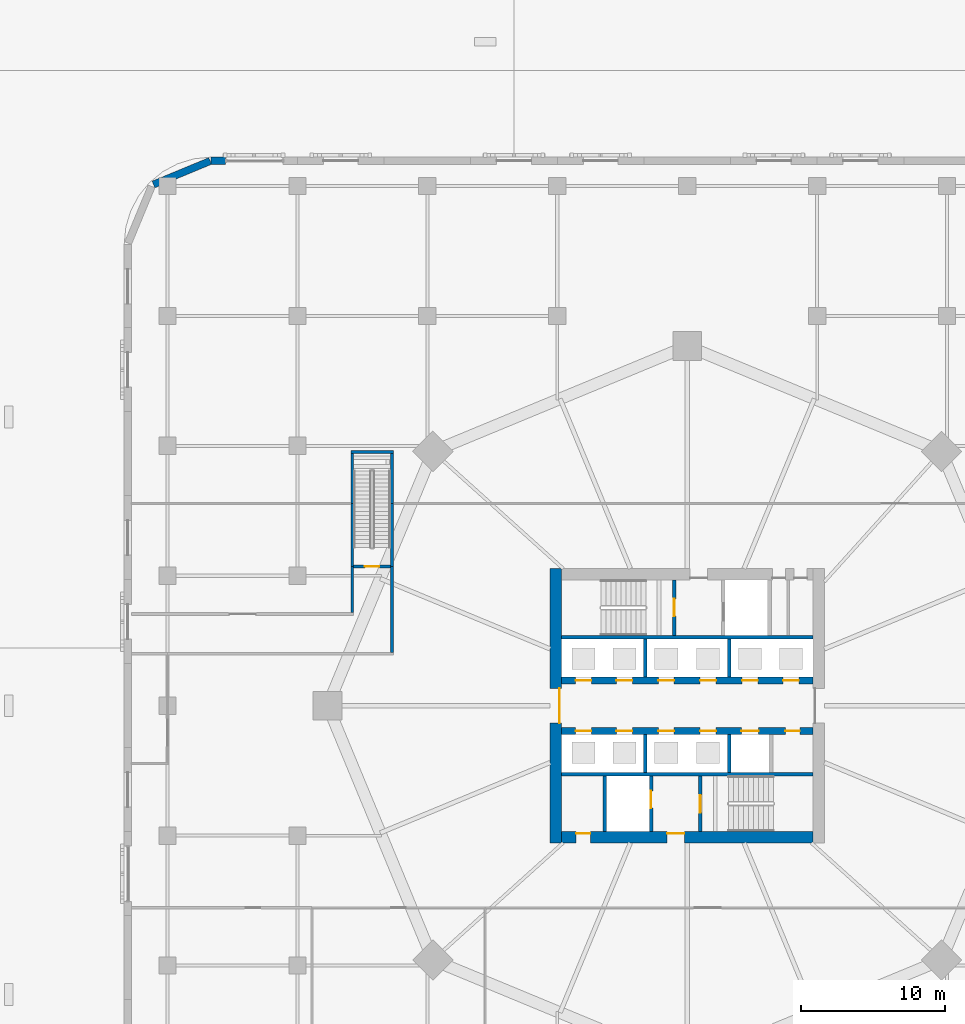
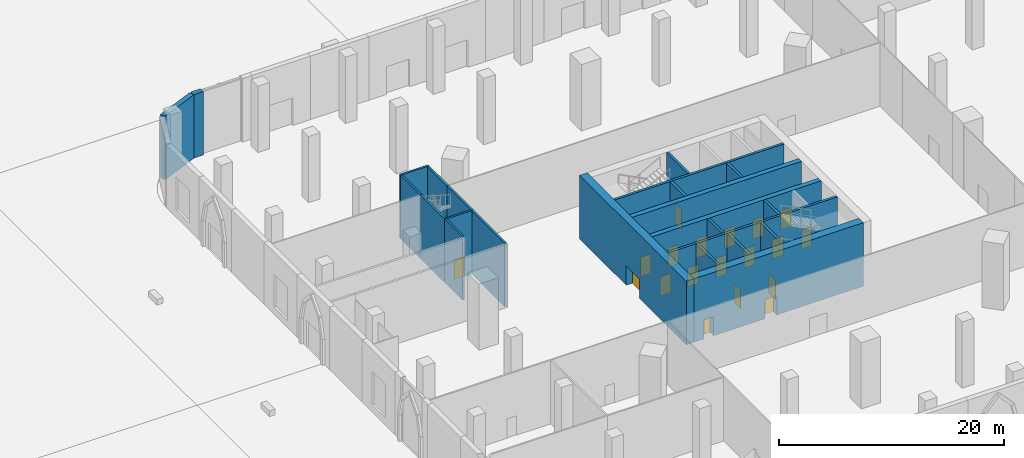
# One storey, part 24 of 48: 24 walls, 19 doors, 19 openings.
"""IFC4 building model written with IfcOpenShell, lengths in metres."""

from ifc_helpers import new_model, si_unit, direction, frame, frame_2d, origin, place, context, subcontext, project, spatial, rectangle, extrude, material, layer, layer_set, type_object, element, fill, save


model = new_model("IFC4")

# Units and contexts
model_context = context("Model", 3, precision=1e-05, world=origin(), true_north=direction((0.0, 1.0)))
body_context = subcontext(model_context, "Body", "Model", "MODEL_VIEW")
ifc_project = project(units=[si_unit("LENGTHUNIT", "METRE"), si_unit("AREAUNIT", "SQUARE_METRE"), si_unit("VOLUMEUNIT", "CUBIC_METRE"), si_unit("PLANEANGLEUNIT", "RADIAN"), si_unit("MASSUNIT", "GRAM", prefix="KILO")], contexts=[model_context])

# Site, building, storey
site_placement = place(None, origin())
site = spatial("IfcSite", under=ifc_project, at=site_placement, CompositionType="ELEMENT")
building_placement = place(site_placement, origin())
building = spatial("IfcBuilding", under=site, at=building_placement, Name="Ogive Gate Towers", CompositionType="ELEMENT")
storey_placement = place(building_placement, origin())
storey = spatial("IfcBuildingStorey", under=building, at=storey_placement, Name="L00", CompositionType="ELEMENT", Elevation=0.0)

# Walls
ifc_material_1 = material(Name="Precast concrete C40/50", Category="concrete")
ifc_layer_1 = layer(ifc_material_1, 0.5)
ifc_layer_set_1 = layer_set([ifc_layer_1], Name="Arcade wall 500")
wall_type_1 = type_object("IfcWallType", Name="Arcade wall 500", PredefinedType="SOLIDWALL", material=ifc_layer_set_1)
wall_1_placement = place(storey_placement, frame((-68.0, 37.75, 0.0), z_axis=(0.0, 0.0, 1.0), x_axis=(-1.0, 0.0, 0.0)))
element("IfcWall", 1, at=wall_1_placement, inside=storey, type_object=wall_type_1, Name="Podium wall", PredefinedType="SOLIDWALL", context=body_context, shape_type="SweptSolid", body=[
    extrude(rectangle(XDim=1.0, YDim=0.5, at=frame_2d((0.5, 0.0))), origin(), (0.0, 0.0, 1.0), 6.89990234375),
])
wall_2_placement = place(storey_placement, frame((-69.0458984375, 37.73095703125, 0.0), z_axis=(0.0, 0.0, 1.0), x_axis=(-0.923880930628, -0.382680056994, 0.0)))
element("IfcWall", 2, at=wall_2_placement, inside=storey, type_object=wall_type_1, Name="Podium wall", PredefinedType="SOLIDWALL", context=body_context, shape_type="SweptSolid", body=[
    extrude(rectangle(XDim=4.24755859375, YDim=0.5, at=frame_2d((2.123779296875, 0.0))), origin(), (0.0, 0.0, 1.0), 6.89990234375),
])

# Wall, openings, doors
ifc_material_2 = material(Name="Concrete C60/75", Category="concrete")
ifc_layer_2 = layer(ifc_material_2, 0.800048828125)
ifc_layer_set_2 = layer_set([ifc_layer_2], Name="Core wall 800 mm")
wall_type_2 = type_object("IfcWallType", Name="Core wall 800 mm", PredefinedType="SHEAR", material=ifc_layer_set_2)
wall_3_placement = place(storey_placement, frame((-44.699951171875, -9.10009765625, 0.0), z_axis=(0.0, 0.0, 1.0), x_axis=(1.0, 0.0, 0.0)))
wall_3 = element("IfcWall", 3, at=wall_3_placement, inside=storey, type_object=wall_type_2, Name="T1 L00 Core wall 800 mm", PredefinedType="SHEAR", context=body_context, shape_type="SweptSolid", body=[
    extrude(rectangle(XDim=17.39990234375, YDim=0.800048828125, at=frame_2d((8.699951171875, 0.0))), origin(), (0.0, 0.0, 1.0), 6.89990234375),
])
opening_1_placement = place(wall_3_placement, frame((7.300048828125, 0.0, 0.0)))
opening_1 = element("IfcOpeningElement", 4, at=opening_1_placement, cuts=wall_3, Name="Opening KD-T1-L00-20", PredefinedType="OPENING", context=body_context, shape_type="SweptSolid", body=[
    extrude(rectangle(XDim=1.199951171875, YDim=2.10009765625, at=frame_2d((0.60009765625, 1.050048828125))), frame((0.0, 0.41015625, 0.0), z_axis=(0.0, -1.0, 0.0), x_axis=(1.0, 0.0, 0.0)), (0.0, 0.0, 1.0), 0.820068359375),
])
opening_2_placement = place(wall_3_placement, frame((1.0, 0.0, 0.0)))
opening_2 = element("IfcOpeningElement", 5, at=opening_2_placement, cuts=wall_3, Name="Opening KD-T1-L00-23", PredefinedType="OPENING", context=body_context, shape_type="SweptSolid", body=[
    extrude(rectangle(XDim=1.0, YDim=2.10009765625, at=frame_2d((0.5, 1.050048828125))), frame((0.0, 0.41015625, 0.0), z_axis=(0.0, -1.0, 0.0), x_axis=(1.0, 0.0, 0.0)), (0.0, 0.0, 1.0), 0.820068359375),
])
ifc_material_3 = material(Name="Timber door", Category="wood")
door_type_1 = type_object("IfcDoorType", Name="Accessible WC door 1000 x 2100", OperationType="NOTDEFINED", PredefinedType="DOOR", material=ifc_material_3)
door_1_placement = place(opening_2_placement, origin())
door_1 = element("IfcDoor", 6, at=door_1_placement, inside=storey, type_object=door_type_1, Name="T1 L00 Core door", OperationType="SINGLE_SWING_RIGHT", OverallHeight=2.10009765625, OverallWidth=1.0, PredefinedType="DOOR", context=body_context, shape_type="SweptSolid", body=[
    extrude(rectangle(XDim=1.0, YDim=2.10009765625, at=frame_2d((0.5, 1.050048828125))), frame((0.0, 0.27490234375, 0.0), z_axis=(0.0, -1.0, 0.0), x_axis=(1.0, 0.0, 0.0)), (0.0, 0.0, 1.0), 0.050048828125),
])
fill(opening_2, door_1)
ifc_material_4 = material(Name="Steel fire door", Category="steel")
door_type_2 = type_object("IfcDoorType", Name="Core door FD60S 1200 x 2100", OperationType="NOTDEFINED", PredefinedType="DOOR", material=ifc_material_4)
door_2_placement = place(opening_1_placement, origin())
door_2 = element("IfcDoor", 7, at=door_2_placement, inside=storey, type_object=door_type_2, Name="T1 L00 Fire-fighting lobby door", OperationType="SINGLE_SWING_LEFT", OverallHeight=2.10009765625, OverallWidth=1.199951171875, PredefinedType="DOOR", context=body_context, shape_type="SweptSolid", body=[
    extrude(rectangle(XDim=1.199951171875, YDim=2.10009765625, at=frame_2d((0.60009765625, 1.050048828125))), frame((0.0, 0.27490234375, 0.0), z_axis=(0.0, -1.0, 0.0), x_axis=(1.0, 0.0, 0.0)), (0.0, 0.0, 1.0), 0.050048828125),
])
fill(opening_1, door_2)

# Wall, opening, door
wall_4_placement = place(storey_placement, frame((-45.10009765625, -9.5, 0.0), z_axis=(0.0, 0.0, 1.0), x_axis=(0.0, 1.0, 0.0)))
wall_4 = element("IfcWall", 8, at=wall_4_placement, inside=storey, type_object=wall_type_2, Name="T1 L00 Core wall 800 mm", PredefinedType="SHEAR", context=body_context, shape_type="SweptSolid", body=[
    extrude(rectangle(XDim=19.0, YDim=0.800048828125, at=frame_2d((9.5, 0.0))), origin(), (0.0, 0.0, 1.0), 6.89990234375),
])
opening_3_placement = place(wall_4_placement, frame((8.300048828125, 0.0, 0.0)))
opening_3 = element("IfcOpeningElement", 9, at=opening_3_placement, cuts=wall_4, Name="Opening KD-T1-L00-01", PredefinedType="OPENING", context=body_context, shape_type="SweptSolid", body=[
    extrude(rectangle(XDim=2.39990234375, YDim=2.10009765625, at=frame_2d((1.199951171875, 1.050048828125))), frame((0.0, 0.41015625, 0.0), z_axis=(0.0, -1.0, 0.0), x_axis=(1.0, 0.0, 0.0)), (0.0, 0.0, 1.0), 0.820068359375),
])
door_type_3 = type_object("IfcDoorType", Name="Core double door FD60S 2400 x 2100", OperationType="DOUBLE_DOOR_SINGLE_SWING", PredefinedType="DOOR", material=ifc_material_4)
door_3_placement = place(opening_3_placement, origin())
door_3 = element("IfcDoor", 10, at=door_3_placement, inside=storey, type_object=door_type_3, Name="T1 L00 Core door double", OperationType="DOUBLE_DOOR_SINGLE_SWING", OverallHeight=2.10009765625, OverallWidth=2.39990234375, PredefinedType="DOOR", context=body_context, shape_type="SweptSolid", body=[
    extrude(rectangle(XDim=2.39990234375, YDim=2.10009765625, at=frame_2d((1.199951171875, 1.050048828125))), frame((0.0, -0.22509765625, 0.0), z_axis=(0.0, -1.0, 0.0), x_axis=(1.0, 0.0, 0.0)), (0.0, 0.0, 1.0), 0.050048828125),
])
fill(opening_3, door_3)

# Walls
ifc_material_5 = material(Name="Masonry block wall", Category="masonry")
ifc_layer_3 = layer(ifc_material_5, 0.199951171875)
ifc_layer_set_3 = layer_set([ifc_layer_3], Name="Partition wall 200")
wall_type_3 = type_object("IfcWallType", Name="Partition wall 200", PredefinedType="PARTITIONING", material=ifc_layer_set_3)
wall_5_placement = place(storey_placement, frame((-56.449951171875, 3.699951171875, 0.0), z_axis=(0.0, 0.0, 1.0), x_axis=(0.0, 1.0, 0.0)))
element("IfcWall", 11, at=wall_5_placement, inside=storey, type_object=wall_type_3, Name="L00 partition 015", PredefinedType="PARTITIONING", context=body_context, shape_type="SweptSolid", body=[
    extrude(rectangle(XDim=5.949951171875, YDim=0.199951171875, at=frame_2d((2.97509765625, 0.0))), origin(), (0.0, 0.0, 1.0), 6.89990234375),
])
wall_6_placement = place(storey_placement, frame((-59.199951171875, 6.449951171875, 0.0), z_axis=(0.0, 0.0, 1.0), x_axis=(0.0, 1.0, 0.0)))
element("IfcWall", 12, at=wall_6_placement, inside=storey, type_object=wall_type_3, Name="L00 partition 017", PredefinedType="PARTITIONING", context=body_context, shape_type="SweptSolid", body=[
    extrude(rectangle(XDim=3.199951171875, YDim=0.199951171875, at=frame_2d((1.60009765625, 0.0))), origin(), (0.0, 0.0, 1.0), 6.89990234375),
])
ifc_layer_4 = layer(ifc_material_2, 0.25)
ifc_layer_set_4 = layer_set([ifc_layer_4], Name="Shaft wall 250 mm")
wall_type_4 = type_object("IfcWallType", Name="Shaft wall 250 mm", PredefinedType="SHEAR", material=ifc_layer_set_4)
for number, where, z_axis, x_axis, name in (
    (13, (-44.699951171875, -4.75, 0.0), (0.0, 0.0, 1.0), (1.0, 0.0, 0.0), "T1 L00 Shaft wall 250 mm"),
    (14, (-44.699951171875, 4.75, 0.0), (0.0, 0.0, 1.0), (1.0, 0.0, 0.0), "T1 L00 Shaft wall 250 mm"),
):
    element("IfcWall", number, at=place(storey_placement, frame(where, z_axis=z_axis, x_axis=x_axis)), inside=storey, type_object=wall_type_4, Name=name, PredefinedType="SHEAR", context=body_context, shape_type="SweptSolid", body=[
        extrude(rectangle(XDim=17.39990234375, YDim=0.25, at=frame_2d((8.699951171875, 0.0))), origin(), (0.0, 0.0, 1.0), 6.89990234375),
    ])
wall_7_placement = place(storey_placement, frame((-41.699951171875, -8.699951171875, 0.0), z_axis=(0.0, 0.0, 1.0), x_axis=(0.0, 1.0, 0.0)))
element("IfcWall", 15, at=wall_7_placement, inside=storey, type_object=wall_type_4, Name="T1 L00 Shaft wall 250 mm", PredefinedType="SHEAR", context=body_context, shape_type="SweptSolid", body=[
    extrude(rectangle(XDim=3.824951171875, YDim=0.25, at=frame_2d((1.91259765625, 0.0))), origin(), (0.0, 0.0, 1.0), 6.89990234375),
])
for number, where, z_axis, x_axis, name in (
    (16, (-38.89990234375, -4.625, 0.0), (0.0, 0.0, 1.0), (0.0, 1.0, 0.0), "T1 L00 Shaft wall 250 mm"),
    (17, (-38.89990234375, 2.0, 0.0), (0.0, 0.0, 1.0), (0.0, 1.0, 0.0), "T1 L00 Shaft wall 250 mm"),
):
    element("IfcWall", number, at=place(storey_placement, frame(where, z_axis=z_axis, x_axis=x_axis)), inside=storey, type_object=wall_type_4, Name=name, PredefinedType="SHEAR", context=body_context, shape_type="SweptSolid", body=[
        extrude(rectangle(XDim=2.625, YDim=0.25, at=frame_2d((1.3125, 0.0))), origin(), (0.0, 0.0, 1.0), 6.89990234375),
    ])

# Wall, opening, door
wall_8_placement = place(storey_placement, frame((-38.5, -8.699951171875, 0.0), z_axis=(0.0, 0.0, 1.0), x_axis=(0.0, 1.0, 0.0)))
wall_8 = element("IfcWall", 18, at=wall_8_placement, inside=storey, type_object=wall_type_4, Name="T1 L00 Shaft wall 250 mm", PredefinedType="SHEAR", context=body_context, shape_type="SweptSolid", body=[
    extrude(rectangle(XDim=3.824951171875, YDim=0.25, at=frame_2d((1.91259765625, 0.0))), origin(), (0.0, 0.0, 1.0), 6.89990234375),
])
opening_4_placement = place(wall_8_placement, frame((1.60009765625, 0.0, 0.0)))
opening_4 = element("IfcOpeningElement", 19, at=opening_4_placement, cuts=wall_8, Name="Opening LD-T1-L00-15", PredefinedType="OPENING", context=body_context, shape_type="SweptSolid", body=[
    extrude(rectangle(XDim=1.199951171875, YDim=2.10009765625, at=frame_2d((0.60009765625, 1.050048828125))), frame((0.0, 0.135009765625, 0.0), z_axis=(0.0, -1.0, 0.0), x_axis=(1.0, 0.0, 0.0)), (0.0, 0.0, 1.0), 0.27001953125),
])
ifc_material_6 = material(Name="Stainless steel landing door", Category="steel")
door_type_4 = type_object("IfcDoorType", Name="Landing door 1200 x 2100", OperationType="SLIDING_TO_LEFT", PredefinedType="DOOR", material=ifc_material_6)
door_4_placement = place(opening_4_placement, origin())
door_4 = element("IfcDoor", 20, at=door_4_placement, inside=storey, type_object=door_type_4, Name="T1 L00 Lift landing door FF2", OperationType="SLIDING_TO_LEFT", OverallHeight=2.10009765625, OverallWidth=1.199951171875, PredefinedType="DOOR", context=body_context, shape_type="SweptSolid", body=[
    extrude(rectangle(XDim=1.199951171875, YDim=2.10009765625, at=frame_2d((0.60009765625, 1.050048828125))), frame((0.0, 0.02490234375, 0.0), z_axis=(0.0, -1.0, 0.0), x_axis=(1.0, 0.0, 0.0)), (0.0, 0.0, 1.0), 0.050048828125),
])
fill(opening_4, door_4)

wall_9_placement = place(storey_placement, frame((-36.89990234375, 4.875, 0.0), z_axis=(0.0, 0.0, 1.0), x_axis=(0.0, 1.0, 0.0)))
wall_9 = element("IfcWall", 21, at=wall_9_placement, inside=storey, type_object=wall_type_4, Name="T1 L00 Shaft wall 250 mm", PredefinedType="SHEAR", context=body_context, shape_type="SweptSolid", body=[
    extrude(rectangle(XDim=3.824951171875, YDim=0.25, at=frame_2d((1.91259765625, 0.0))), origin(), (0.0, 0.0, 1.0), 6.89990234375),
])
opening_5_placement = place(wall_9_placement, frame((1.324951171875, 0.0, 0.0)))
opening_5 = element("IfcOpeningElement", 22, at=opening_5_placement, cuts=wall_9, Name="Opening KD-T1-L00-17", PredefinedType="OPENING", context=body_context, shape_type="SweptSolid", body=[
    extrude(rectangle(XDim=1.199951171875, YDim=2.10009765625, at=frame_2d((0.60009765625, 1.050048828125))), frame((0.0, 0.135009765625, 0.0), z_axis=(0.0, -1.0, 0.0), x_axis=(1.0, 0.0, 0.0)), (0.0, 0.0, 1.0), 0.27001953125),
])
door_5_placement = place(opening_5_placement, origin())
door_5 = element("IfcDoor", 23, at=door_5_placement, inside=storey, type_object=door_type_2, Name="T1 L00 Stair door", OperationType="SINGLE_SWING_RIGHT", OverallHeight=2.10009765625, OverallWidth=1.199951171875, PredefinedType="DOOR", context=body_context, shape_type="SweptSolid", body=[
    extrude(rectangle(XDim=1.199951171875, YDim=2.10009765625, at=frame_2d((0.60009765625, 1.050048828125))), frame((0.0, 0.02490234375, 0.0), z_axis=(0.0, -1.0, 0.0), x_axis=(1.0, 0.0, 0.0)), (0.0, 0.0, 1.0), 0.050048828125),
])
fill(opening_5, door_5)

wall_10_placement = place(storey_placement, frame((-35.10009765625, -8.699951171875, 0.0), z_axis=(0.0, 0.0, 1.0), x_axis=(0.0, 1.0, 0.0)))
wall_10 = element("IfcWall", 24, at=wall_10_placement, inside=storey, type_object=wall_type_4, Name="T1 L00 Shaft wall 250 mm", PredefinedType="SHEAR", context=body_context, shape_type="SweptSolid", body=[
    extrude(rectangle(XDim=3.824951171875, YDim=0.25, at=frame_2d((1.91259765625, 0.0))), origin(), (0.0, 0.0, 1.0), 6.89990234375),
])
opening_6_placement = place(wall_10_placement, frame((1.300048828125, 0.0, 0.0)))
opening_6 = element("IfcOpeningElement", 25, at=opening_6_placement, cuts=wall_10, Name="Opening KD-T1-L00-18", PredefinedType="OPENING", context=body_context, shape_type="SweptSolid", body=[
    extrude(rectangle(XDim=1.199951171875, YDim=2.10009765625, at=frame_2d((0.60009765625, 1.050048828125))), frame((0.0, 0.135009765625, 0.0), z_axis=(0.0, -1.0, 0.0), x_axis=(1.0, 0.0, 0.0)), (0.0, 0.0, 1.0), 0.27001953125),
])
door_6_placement = place(opening_6_placement, origin())
door_6 = element("IfcDoor", 26, at=door_6_placement, inside=storey, type_object=door_type_2, Name="T1 L00 Stair door", OperationType="SINGLE_SWING_LEFT", OverallHeight=2.10009765625, OverallWidth=1.199951171875, PredefinedType="DOOR", context=body_context, shape_type="SweptSolid", body=[
    extrude(rectangle(XDim=1.199951171875, YDim=2.10009765625, at=frame_2d((0.60009765625, 1.050048828125))), frame((0.0, 0.02490234375, 0.0), z_axis=(0.0, -1.0, 0.0), x_axis=(1.0, 0.0, 0.0)), (0.0, 0.0, 1.0), 0.050048828125),
])
fill(opening_6, door_6)

# Walls
for number, where, z_axis, x_axis, name in (
    (27, (-33.10009765625, -4.625, 0.0), (0.0, 0.0, 1.0), (0.0, 1.0, 0.0), "T1 L00 Shaft wall 250 mm"),
    (28, (-33.10009765625, 2.0, 0.0), (0.0, 0.0, 1.0), (0.0, 1.0, 0.0), "T1 L00 Shaft wall 250 mm"),
):
    element("IfcWall", number, at=place(storey_placement, frame(where, z_axis=z_axis, x_axis=x_axis)), inside=storey, type_object=wall_type_4, Name=name, PredefinedType="SHEAR", context=body_context, shape_type="SweptSolid", body=[
        extrude(rectangle(XDim=2.625, YDim=0.25, at=frame_2d((1.3125, 0.0))), origin(), (0.0, 0.0, 1.0), 6.89990234375),
    ])

# Wall, openings, doors
ifc_layer_5 = layer(ifc_material_2, 0.5)
ifc_layer_set_5 = layer_set([ifc_layer_5], Name="Spine wall 500 mm")
wall_type_5 = type_object("IfcWallType", Name="Spine wall 500 mm", PredefinedType="SHEAR", material=ifc_layer_set_5)
wall_11_placement = place(storey_placement, frame((-44.699951171875, -1.75, 0.0), z_axis=(0.0, 0.0, 1.0), x_axis=(1.0, 0.0, 0.0)))
wall_11 = element("IfcWall", 29, at=wall_11_placement, inside=storey, type_object=wall_type_5, Name="T1 L00 Spine wall 500 mm", PredefinedType="SHEAR", context=body_context, shape_type="SweptSolid", body=[
    extrude(rectangle(XDim=17.39990234375, YDim=0.5, at=frame_2d((8.699951171875, 0.0))), origin(), (0.0, 0.0, 1.0), 6.89990234375),
])
opening_7_placement = place(wall_11_placement, frame((0.96240234375, 0.0, 0.0)))
opening_7 = element("IfcOpeningElement", 30, at=opening_7_placement, cuts=wall_11, Name="Opening LD-T1-L00-09", PredefinedType="OPENING", context=body_context, shape_type="SweptSolid", body=[
    extrude(rectangle(XDim=1.10009765625, YDim=2.10009765625, at=frame_2d((0.550048828125, 1.050048828125))), frame((0.0, 0.260009765625, 0.0), z_axis=(0.0, -1.0, 0.0), x_axis=(1.0, 0.0, 0.0)), (0.0, 0.0, 1.0), 0.52001953125),
])
opening_8_placement = place(wall_11_placement, frame((3.800048828125, 0.0, 0.0)))
opening_8 = element("IfcOpeningElement", 31, at=opening_8_placement, cuts=wall_11, Name="Opening LD-T1-L00-10", PredefinedType="OPENING", context=body_context, shape_type="SweptSolid", body=[
    extrude(rectangle(XDim=1.10009765625, YDim=2.10009765625, at=frame_2d((0.550048828125, 1.050048828125))), frame((0.0, 0.260009765625, 0.0), z_axis=(0.0, -1.0, 0.0), x_axis=(1.0, 0.0, 0.0)), (0.0, 0.0, 1.0), 0.52001953125),
])
opening_9_placement = place(wall_11_placement, frame((6.699951171875, 0.0, 0.0)))
opening_9 = element("IfcOpeningElement", 32, at=opening_9_placement, cuts=wall_11, Name="Opening LD-T1-L00-11", PredefinedType="OPENING", context=body_context, shape_type="SweptSolid", body=[
    extrude(rectangle(XDim=1.10009765625, YDim=2.10009765625, at=frame_2d((0.550048828125, 1.050048828125))), frame((0.0, 0.260009765625, 0.0), z_axis=(0.0, -1.0, 0.0), x_axis=(1.0, 0.0, 0.0)), (0.0, 0.0, 1.0), 0.52001953125),
])
opening_10_placement = place(wall_11_placement, frame((9.60009765625, 0.0, 0.0)))
opening_10 = element("IfcOpeningElement", 33, at=opening_10_placement, cuts=wall_11, Name="Opening LD-T1-L00-12", PredefinedType="OPENING", context=body_context, shape_type="SweptSolid", body=[
    extrude(rectangle(XDim=1.10009765625, YDim=2.10009765625, at=frame_2d((0.550048828125, 1.050048828125))), frame((0.0, 0.260009765625, 0.0), z_axis=(0.0, -1.0, 0.0), x_axis=(1.0, 0.0, 0.0)), (0.0, 0.0, 1.0), 0.52001953125),
])
opening_11_placement = place(wall_11_placement, frame((12.449951171875, 0.0, 0.0)))
opening_11 = element("IfcOpeningElement", 34, at=opening_11_placement, cuts=wall_11, Name="Opening LD-T1-L00-13", PredefinedType="OPENING", context=body_context, shape_type="SweptSolid", body=[
    extrude(rectangle(XDim=1.199951171875, YDim=2.10009765625, at=frame_2d((0.60009765625, 1.050048828125))), frame((0.0, 0.260009765625, 0.0), z_axis=(0.0, -1.0, 0.0), x_axis=(1.0, 0.0, 0.0)), (0.0, 0.0, 1.0), 0.52001953125),
])
opening_12_placement = place(wall_11_placement, frame((15.5, 0.0, 0.0)))
opening_12 = element("IfcOpeningElement", 35, at=opening_12_placement, cuts=wall_11, Name="Opening KD-T1-L00-16", PredefinedType="OPENING", context=body_context, shape_type="SweptSolid", body=[
    extrude(rectangle(XDim=1.0, YDim=2.10009765625, at=frame_2d((0.5, 1.050048828125))), frame((0.0, 0.260009765625, 0.0), z_axis=(0.0, -1.0, 0.0), x_axis=(1.0, 0.0, 0.0)), (0.0, 0.0, 1.0), 0.52001953125),
])
door_type_5 = type_object("IfcDoorType", Name="Core door FD60S 1000 x 2100", OperationType="NOTDEFINED", PredefinedType="DOOR", material=ifc_material_4)
door_7_placement = place(opening_12_placement, origin())
door_7 = element("IfcDoor", 36, at=door_7_placement, inside=storey, type_object=door_type_5, Name="T1 L00 Core door", OperationType="SINGLE_SWING_LEFT", OverallHeight=2.10009765625, OverallWidth=1.0, PredefinedType="DOOR", context=body_context, shape_type="SweptSolid", body=[
    extrude(rectangle(XDim=1.0, YDim=2.10009765625, at=frame_2d((0.5, 1.050048828125))), frame((0.0, 0.02490234375, 0.0), z_axis=(0.0, -1.0, 0.0), x_axis=(1.0, 0.0, 0.0)), (0.0, 0.0, 1.0), 0.050048828125),
])
fill(opening_12, door_7)
door_type_6 = type_object("IfcDoorType", Name="Landing door 1100 x 2100", OperationType="SLIDING_TO_LEFT", PredefinedType="DOOR", material=ifc_material_6)
door_8_placement = place(opening_7_placement, origin())
door_8 = element("IfcDoor", 37, at=door_8_placement, inside=storey, type_object=door_type_6, Name="T1 L00 Lift landing door S1", OperationType="SLIDING_TO_LEFT", OverallHeight=2.10009765625, OverallWidth=1.10009765625, PredefinedType="DOOR", context=body_context, shape_type="SweptSolid", body=[
    extrude(rectangle(XDim=1.10009765625, YDim=2.10009765625, at=frame_2d((0.550048828125, 1.050048828125))), frame((0.0, 0.02490234375, 0.0), z_axis=(0.0, -1.0, 0.0), x_axis=(1.0, 0.0, 0.0)), (0.0, 0.0, 1.0), 0.050048828125),
])
fill(opening_7, door_8)
door_9_placement = place(opening_8_placement, origin())
door_9 = element("IfcDoor", 38, at=door_9_placement, inside=storey, type_object=door_type_6, Name="T1 L00 Lift landing door S2", OperationType="SLIDING_TO_LEFT", OverallHeight=2.10009765625, OverallWidth=1.10009765625, PredefinedType="DOOR", context=body_context, shape_type="SweptSolid", body=[
    extrude(rectangle(XDim=1.10009765625, YDim=2.10009765625, at=frame_2d((0.550048828125, 1.050048828125))), frame((0.0, 0.02490234375, 0.0), z_axis=(0.0, -1.0, 0.0), x_axis=(1.0, 0.0, 0.0)), (0.0, 0.0, 1.0), 0.050048828125),
])
fill(opening_8, door_9)
door_10_placement = place(opening_9_placement, origin())
door_10 = element("IfcDoor", 39, at=door_10_placement, inside=storey, type_object=door_type_6, Name="T1 L00 Lift landing door S3", OperationType="SLIDING_TO_LEFT", OverallHeight=2.10009765625, OverallWidth=1.10009765625, PredefinedType="DOOR", context=body_context, shape_type="SweptSolid", body=[
    extrude(rectangle(XDim=1.10009765625, YDim=2.10009765625, at=frame_2d((0.550048828125, 1.050048828125))), frame((0.0, 0.02490234375, 0.0), z_axis=(0.0, -1.0, 0.0), x_axis=(1.0, 0.0, 0.0)), (0.0, 0.0, 1.0), 0.050048828125),
])
fill(opening_9, door_10)
door_11_placement = place(opening_10_placement, origin())
door_11 = element("IfcDoor", 40, at=door_11_placement, inside=storey, type_object=door_type_6, Name="T1 L00 Lift landing door S4", OperationType="SLIDING_TO_LEFT", OverallHeight=2.10009765625, OverallWidth=1.10009765625, PredefinedType="DOOR", context=body_context, shape_type="SweptSolid", body=[
    extrude(rectangle(XDim=1.10009765625, YDim=2.10009765625, at=frame_2d((0.550048828125, 1.050048828125))), frame((0.0, 0.02490234375, 0.0), z_axis=(0.0, -1.0, 0.0), x_axis=(1.0, 0.0, 0.0)), (0.0, 0.0, 1.0), 0.050048828125),
])
fill(opening_10, door_11)
door_12_placement = place(opening_11_placement, origin())
door_12 = element("IfcDoor", 41, at=door_12_placement, inside=storey, type_object=door_type_4, Name="T1 L00 Lift landing door SVC", OperationType="SLIDING_TO_LEFT", OverallHeight=2.10009765625, OverallWidth=1.199951171875, PredefinedType="DOOR", context=body_context, shape_type="SweptSolid", body=[
    extrude(rectangle(XDim=1.199951171875, YDim=2.10009765625, at=frame_2d((0.60009765625, 1.050048828125))), frame((0.0, 0.02490234375, 0.0), z_axis=(0.0, -1.0, 0.0), x_axis=(1.0, 0.0, 0.0)), (0.0, 0.0, 1.0), 0.050048828125),
])
fill(opening_11, door_12)

wall_12_placement = place(storey_placement, frame((-44.699951171875, 1.75, 0.0), z_axis=(0.0, 0.0, 1.0), x_axis=(1.0, 0.0, 0.0)))
wall_12 = element("IfcWall", 42, at=wall_12_placement, inside=storey, type_object=wall_type_5, Name="T1 L00 Spine wall 500 mm", PredefinedType="SHEAR", context=body_context, shape_type="SweptSolid", body=[
    extrude(rectangle(XDim=17.39990234375, YDim=0.5, at=frame_2d((8.699951171875, 0.0))), origin(), (0.0, 0.0, 1.0), 6.89990234375),
])
opening_13_placement = place(wall_12_placement, frame((0.96240234375, 0.0, 0.0)))
opening_13 = element("IfcOpeningElement", 43, at=opening_13_placement, cuts=wall_12, Name="Opening LD-T1-L00-03", PredefinedType="OPENING", context=body_context, shape_type="SweptSolid", body=[
    extrude(rectangle(XDim=1.10009765625, YDim=2.10009765625, at=frame_2d((0.550048828125, 1.050048828125))), frame((0.0, 0.260009765625, 0.0), z_axis=(0.0, -1.0, 0.0), x_axis=(1.0, 0.0, 0.0)), (0.0, 0.0, 1.0), 0.52001953125),
])
opening_14_placement = place(wall_12_placement, frame((3.800048828125, 0.0, 0.0)))
opening_14 = element("IfcOpeningElement", 44, at=opening_14_placement, cuts=wall_12, Name="Opening LD-T1-L00-04", PredefinedType="OPENING", context=body_context, shape_type="SweptSolid", body=[
    extrude(rectangle(XDim=1.10009765625, YDim=2.10009765625, at=frame_2d((0.550048828125, 1.050048828125))), frame((0.0, 0.260009765625, 0.0), z_axis=(0.0, -1.0, 0.0), x_axis=(1.0, 0.0, 0.0)), (0.0, 0.0, 1.0), 0.52001953125),
])
opening_15_placement = place(wall_12_placement, frame((6.699951171875, 0.0, 0.0)))
opening_15 = element("IfcOpeningElement", 45, at=opening_15_placement, cuts=wall_12, Name="Opening LD-T1-L00-05", PredefinedType="OPENING", context=body_context, shape_type="SweptSolid", body=[
    extrude(rectangle(XDim=1.10009765625, YDim=2.10009765625, at=frame_2d((0.550048828125, 1.050048828125))), frame((0.0, 0.260009765625, 0.0), z_axis=(0.0, -1.0, 0.0), x_axis=(1.0, 0.0, 0.0)), (0.0, 0.0, 1.0), 0.52001953125),
])
opening_16_placement = place(wall_12_placement, frame((9.60009765625, 0.0, 0.0)))
opening_16 = element("IfcOpeningElement", 46, at=opening_16_placement, cuts=wall_12, Name="Opening LD-T1-L00-06", PredefinedType="OPENING", context=body_context, shape_type="SweptSolid", body=[
    extrude(rectangle(XDim=1.10009765625, YDim=2.10009765625, at=frame_2d((0.550048828125, 1.050048828125))), frame((0.0, 0.260009765625, 0.0), z_axis=(0.0, -1.0, 0.0), x_axis=(1.0, 0.0, 0.0)), (0.0, 0.0, 1.0), 0.52001953125),
])
opening_17_placement = place(wall_12_placement, frame((12.5, 0.0, 0.0)))
opening_17 = element("IfcOpeningElement", 47, at=opening_17_placement, cuts=wall_12, Name="Opening LD-T1-L00-07", PredefinedType="OPENING", context=body_context, shape_type="SweptSolid", body=[
    extrude(rectangle(XDim=1.10009765625, YDim=2.10009765625, at=frame_2d((0.550048828125, 1.050048828125))), frame((0.0, 0.260009765625, 0.0), z_axis=(0.0, -1.0, 0.0), x_axis=(1.0, 0.0, 0.0)), (0.0, 0.0, 1.0), 0.52001953125),
])
opening_18_placement = place(wall_12_placement, frame((15.33740234375, 0.0, 0.0)))
opening_18 = element("IfcOpeningElement", 48, at=opening_18_placement, cuts=wall_12, Name="Opening LD-T1-L00-08", PredefinedType="OPENING", context=body_context, shape_type="SweptSolid", body=[
    extrude(rectangle(XDim=1.10009765625, YDim=2.10009765625, at=frame_2d((0.550048828125, 1.050048828125))), frame((0.0, 0.260009765625, 0.0), z_axis=(0.0, -1.0, 0.0), x_axis=(1.0, 0.0, 0.0)), (0.0, 0.0, 1.0), 0.52001953125),
])
door_13_placement = place(opening_13_placement, origin())
door_13 = element("IfcDoor", 49, at=door_13_placement, inside=storey, type_object=door_type_6, Name="T1 L00 Lift landing door A1", OperationType="SLIDING_TO_LEFT", OverallHeight=2.10009765625, OverallWidth=1.10009765625, PredefinedType="DOOR", context=body_context, shape_type="SweptSolid", body=[
    extrude(rectangle(XDim=1.10009765625, YDim=2.10009765625, at=frame_2d((0.550048828125, 1.050048828125))), frame((0.0, 0.02490234375, 0.0), z_axis=(0.0, -1.0, 0.0), x_axis=(1.0, 0.0, 0.0)), (0.0, 0.0, 1.0), 0.050048828125),
])
fill(opening_13, door_13)
door_14_placement = place(opening_14_placement, origin())
door_14 = element("IfcDoor", 50, at=door_14_placement, inside=storey, type_object=door_type_6, Name="T1 L00 Lift landing door A2", OperationType="SLIDING_TO_LEFT", OverallHeight=2.10009765625, OverallWidth=1.10009765625, PredefinedType="DOOR", context=body_context, shape_type="SweptSolid", body=[
    extrude(rectangle(XDim=1.10009765625, YDim=2.10009765625, at=frame_2d((0.550048828125, 1.050048828125))), frame((0.0, 0.02490234375, 0.0), z_axis=(0.0, -1.0, 0.0), x_axis=(1.0, 0.0, 0.0)), (0.0, 0.0, 1.0), 0.050048828125),
])
fill(opening_14, door_14)
door_15_placement = place(opening_15_placement, origin())
door_15 = element("IfcDoor", 51, at=door_15_placement, inside=storey, type_object=door_type_6, Name="T1 L00 Lift landing door A3", OperationType="SLIDING_TO_LEFT", OverallHeight=2.10009765625, OverallWidth=1.10009765625, PredefinedType="DOOR", context=body_context, shape_type="SweptSolid", body=[
    extrude(rectangle(XDim=1.10009765625, YDim=2.10009765625, at=frame_2d((0.550048828125, 1.050048828125))), frame((0.0, 0.02490234375, 0.0), z_axis=(0.0, -1.0, 0.0), x_axis=(1.0, 0.0, 0.0)), (0.0, 0.0, 1.0), 0.050048828125),
])
fill(opening_15, door_15)
door_16_placement = place(opening_16_placement, origin())
door_16 = element("IfcDoor", 52, at=door_16_placement, inside=storey, type_object=door_type_6, Name="T1 L00 Lift landing door A4", OperationType="SLIDING_TO_LEFT", OverallHeight=2.10009765625, OverallWidth=1.10009765625, PredefinedType="DOOR", context=body_context, shape_type="SweptSolid", body=[
    extrude(rectangle(XDim=1.10009765625, YDim=2.10009765625, at=frame_2d((0.550048828125, 1.050048828125))), frame((0.0, 0.02490234375, 0.0), z_axis=(0.0, -1.0, 0.0), x_axis=(1.0, 0.0, 0.0)), (0.0, 0.0, 1.0), 0.050048828125),
])
fill(opening_16, door_16)
door_17_placement = place(opening_17_placement, origin())
door_17 = element("IfcDoor", 53, at=door_17_placement, inside=storey, type_object=door_type_6, Name="T1 L00 Lift landing door A5", OperationType="SLIDING_TO_LEFT", OverallHeight=2.10009765625, OverallWidth=1.10009765625, PredefinedType="DOOR", context=body_context, shape_type="SweptSolid", body=[
    extrude(rectangle(XDim=1.10009765625, YDim=2.10009765625, at=frame_2d((0.550048828125, 1.050048828125))), frame((0.0, 0.02490234375, 0.0), z_axis=(0.0, -1.0, 0.0), x_axis=(1.0, 0.0, 0.0)), (0.0, 0.0, 1.0), 0.050048828125),
])
fill(opening_17, door_17)
door_18_placement = place(opening_18_placement, origin())
door_18 = element("IfcDoor", 54, at=door_18_placement, inside=storey, type_object=door_type_6, Name="T1 L00 Lift landing door A6", OperationType="SLIDING_TO_LEFT", OverallHeight=2.10009765625, OverallWidth=1.10009765625, PredefinedType="DOOR", context=body_context, shape_type="SweptSolid", body=[
    extrude(rectangle(XDim=1.10009765625, YDim=2.10009765625, at=frame_2d((0.550048828125, 1.050048828125))), frame((0.0, 0.02490234375, 0.0), z_axis=(0.0, -1.0, 0.0), x_axis=(1.0, 0.0, 0.0)), (0.0, 0.0, 1.0), 0.050048828125),
])
fill(opening_18, door_18)

# Wall, opening, door
ifc_material_7 = material(Name="Reinforced concrete C32/40", Category="concrete")
ifc_layer_6 = layer(ifc_material_7, 0.199951171875)
ifc_layer_set_6 = layer_set([ifc_layer_6], Name="Stair shaft wall 200")
wall_type_6 = type_object("IfcWallType", Name="Stair shaft wall 200", PredefinedType="SOLIDWALL", material=ifc_layer_set_6)
wall_13_placement = place(storey_placement, frame((-59.10009765625, 9.64990234375, 0.0), z_axis=(0.0, 0.0, 1.0), x_axis=(1.0, 0.0, 0.0)))
wall_13 = element("IfcWall", 55, at=wall_13_placement, inside=storey, type_object=wall_type_6, Name="L00 stair shaft wall 001", PredefinedType="SOLIDWALL", context=body_context, shape_type="SweptSolid", body=[
    extrude(rectangle(XDim=2.550048828125, YDim=0.199951171875, at=frame_2d((1.27490234375, 0.0))), origin(), (0.0, 0.0, 1.0), 6.89990234375),
])
opening_19_placement = place(wall_13_placement, frame((0.77490234375, 0.0, 0.0)))
opening_19 = element("IfcOpeningElement", 56, at=opening_19_placement, cuts=wall_13, Name="Opening PO101", PredefinedType="OPENING", context=body_context, shape_type="SweptSolid", body=[
    extrude(rectangle(XDim=1.0, YDim=2.10009765625, at=frame_2d((0.5, 1.050048828125))), frame((0.0, 0.10986328125, 0.0), z_axis=(0.0, -1.0, 0.0), x_axis=(1.0, 0.0, 0.0)), (0.0, 0.0, 1.0), 0.219970703125),
])
door_type_7 = type_object("IfcDoorType", Name="Interior fire door FD120S 1000 x 2100", OperationType="NOTDEFINED", PredefinedType="DOOR", material=ifc_material_4)
door_19_placement = place(opening_19_placement, origin())
door_19 = element("IfcDoor", 57, at=door_19_placement, inside=storey, type_object=door_type_7, Name="Door PO101", OperationType="SINGLE_SWING_LEFT", OverallHeight=2.10009765625, OverallWidth=1.0, PredefinedType="DOOR", context=body_context, shape_type="SweptSolid", body=[
    extrude(rectangle(XDim=1.0, YDim=2.10009765625, at=frame_2d((0.5, 1.050048828125))), frame((0.0, 0.02490234375, 0.0), z_axis=(0.0, -1.0, 0.0), x_axis=(1.0, 0.0, 0.0)), (0.0, 0.0, 1.0), 0.050048828125),
])
fill(opening_19, door_19)

# Walls
wall_14_placement = place(storey_placement, frame((-56.449951171875, 9.64990234375, 0.0), z_axis=(0.0, 0.0, 1.0), x_axis=(0.0, 1.0, 0.0)))
element("IfcWall", 58, at=wall_14_placement, inside=storey, type_object=wall_type_6, Name="L00 stair shaft wall 002", PredefinedType="SOLIDWALL", context=body_context, shape_type="SweptSolid", body=[
    extrude(rectangle(XDim=4.35009765625, YDim=0.199951171875, at=frame_2d((2.175048828125, 0.0))), origin(), (0.0, 0.0, 1.0), 6.89990234375),
])
wall_15_placement = place(storey_placement, frame((-59.300048828125, 17.570068359375, 0.0), z_axis=(0.0, 0.0, 1.0), x_axis=(1.0, 0.0, 0.0)))
element("IfcWall", 59, at=wall_15_placement, inside=storey, type_object=wall_type_6, Name="L00 stair shaft wall 003", PredefinedType="SOLIDWALL", context=body_context, shape_type="SweptSolid", body=[
    extrude(rectangle(XDim=2.949951171875, YDim=0.199951171875, at=frame_2d((1.47509765625, 0.0))), origin(), (0.0, 0.0, 1.0), 6.89990234375),
])
for number, where, z_axis, x_axis, name in (
    (60, (-59.199951171875, 14.0, 0.0), (0.0, 0.0, 1.0), (0.0, 1.0, 0.0), "L00 stair shaft wall 004"),
    (61, (-56.449951171875, 14.0, 0.0), (0.0, 0.0, 1.0), (0.0, 1.0, 0.0), "L00 stair shaft wall 005"),
):
    element("IfcWall", number, at=place(storey_placement, frame(where, z_axis=z_axis, x_axis=x_axis)), inside=storey, type_object=wall_type_6, Name=name, PredefinedType="SOLIDWALL", context=body_context, shape_type="SweptSolid", body=[
        extrude(rectangle(XDim=3.469970703125, YDim=0.199951171875, at=frame_2d((1.73486328125, 0.0))), origin(), (0.0, 0.0, 1.0), 6.89990234375),
    ])
wall_16_placement = place(storey_placement, frame((-59.199951171875, 9.64990234375, 0.0), z_axis=(0.0, 0.0, 1.0), x_axis=(0.0, 1.0, 0.0)))
element("IfcWall", 62, at=wall_16_placement, inside=storey, type_object=wall_type_6, Name="L00 stair shaft wall 006", PredefinedType="SOLIDWALL", context=body_context, shape_type="SweptSolid", body=[
    extrude(rectangle(XDim=4.35009765625, YDim=0.199951171875, at=frame_2d((2.175048828125, 0.0))), origin(), (0.0, 0.0, 1.0), 6.89990234375),
])

save(model, "model.ifc")
